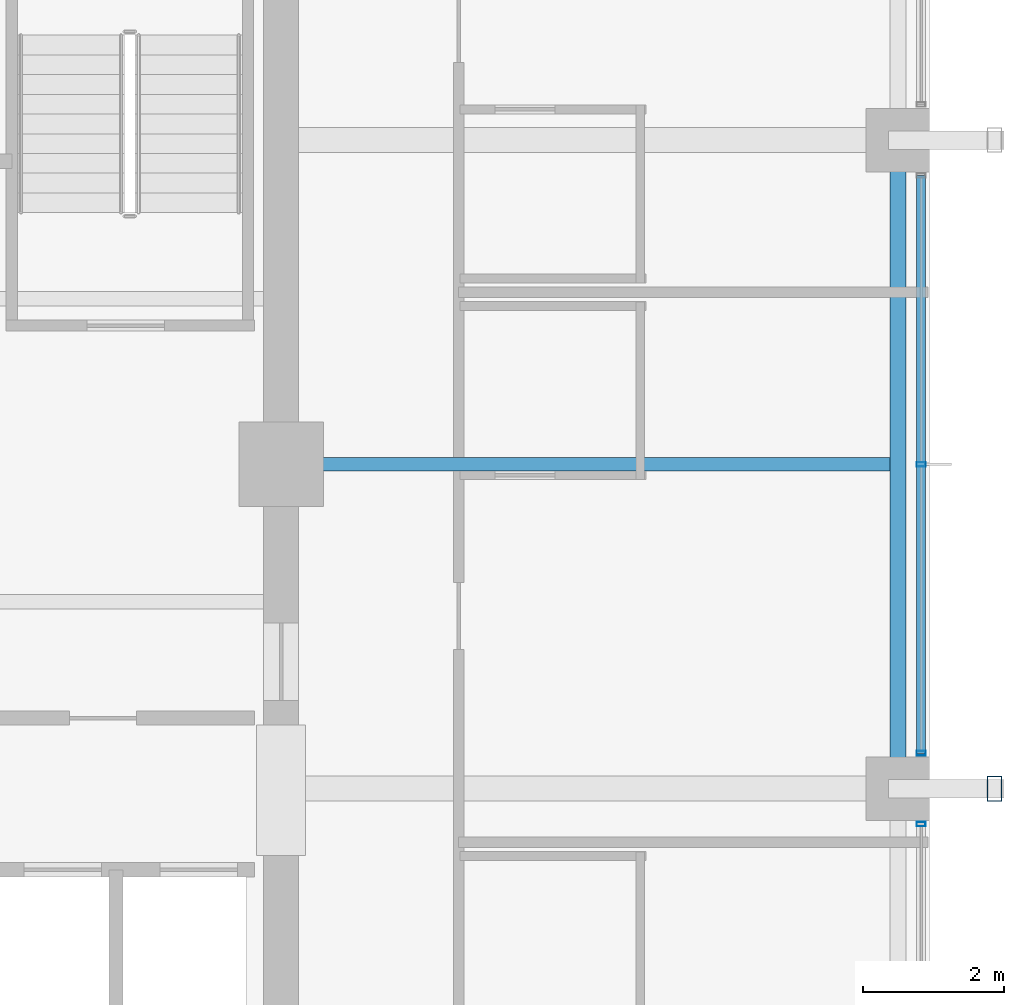
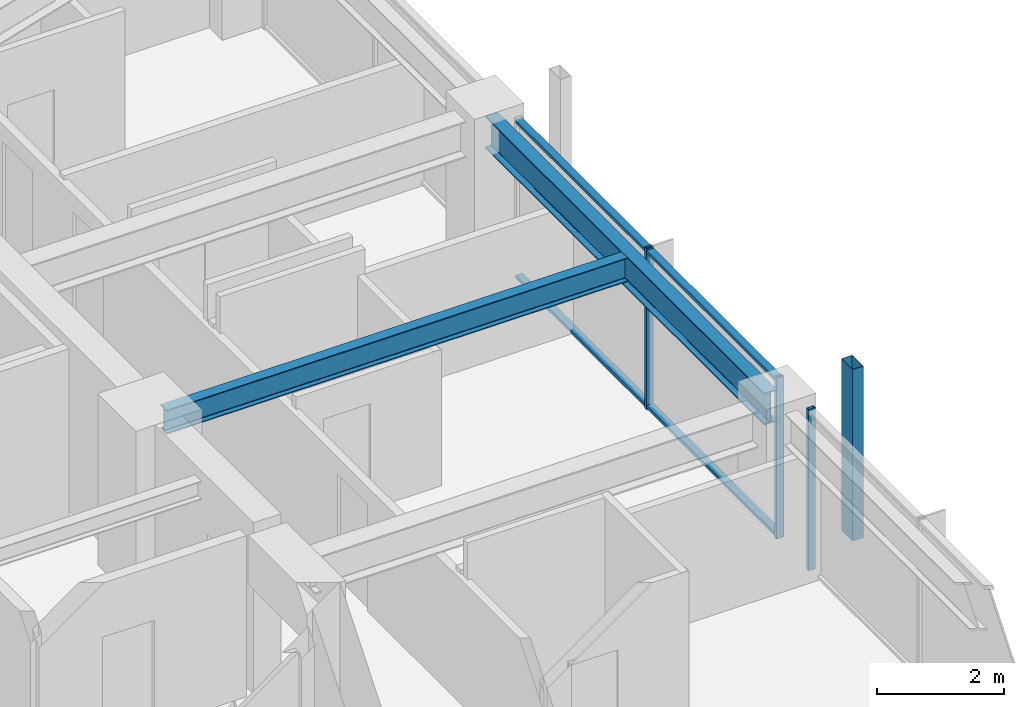
# One storey, part 14 of 34: 6 members, 2 beams, 2 elements without a shape of their own.
"""IFC4 building model written with IfcOpenShell, lengths in metres."""

from ifc_helpers import new_model, si_unit, direction, frame, origin, origin_2d, place, context, subcontext, project, spatial, hollow_rectangle, i_section, extrude, material, material_profile, profile_set, type_object, element, aggregate, save


model = new_model("IFC4")

# Units and contexts
model_context = context("Model", 3, precision=1e-05, world=origin(), true_north=direction((0.0, 1.0)))
body_context = subcontext(model_context, "Body", "Model", "MODEL_VIEW")
ifc_project = project(units=[si_unit("LENGTHUNIT", "METRE"), si_unit("AREAUNIT", "SQUARE_METRE"), si_unit("VOLUMEUNIT", "CUBIC_METRE"), si_unit("PLANEANGLEUNIT", "RADIAN"), si_unit("MASSUNIT", "GRAM", prefix="KILO")], contexts=[model_context])

# Site, building, storey
site_placement = place(None, origin())
site = spatial("IfcSite", under=ifc_project, at=site_placement, CompositionType="ELEMENT")
building_placement = place(site_placement, origin())
building = spatial("IfcBuilding", under=site, at=building_placement, Name="Kolvaren Belvedere", CompositionType="ELEMENT")
storey_placement = place(building_placement, frame((0.0, 0.0, 166.800048828125)))
storey = spatial("IfcBuildingStorey", under=building, at=storey_placement, Name="L48", CompositionType="ELEMENT", Elevation=166.800048828125)

# Beams
ifc_material_1 = material(Name="Structural steel ASTM A992 Grade 50", Category="steel")
ifc_material_profile_1 = material_profile(ifc_material_1, i_section(OverallWidth=0.19091796875, OverallDepth=0.4599609375, WebThickness=0.010009765625, FlangeThickness=0.01611328125, FilletRadius=0.014892578125, at=origin_2d()), Name="W18X55")
ifc_profile_set_1 = profile_set([ifc_material_profile_1], Name="Structural steel ASTM A992 Grade 50")
beam_type_1 = type_object("IfcBeamType", Name="BM-JOIST-W18X55", PredefinedType="BEAM", material=ifc_profile_set_1)
beam_1_placement = place(storey_placement, frame((10.14990234375, 0.0, 2.869873046875), z_axis=(1.0, 0.0, 0.0), x_axis=(0.0, 1.0, 0.0)))
element("IfcBeam", 1, at=beam_1_placement, inside=storey, type_object=beam_type_1, Name="L48 East Centre Floor Beam", PredefinedType="BEAM", context=body_context, shape_type="SweptSolid", body=[
    extrude(i_section(OverallWidth=0.19091796875, OverallDepth=0.4599609375, WebThickness=0.010009765625, FlangeThickness=0.01611328125, FilletRadius=0.014892578125, at=origin_2d()), origin(), (0.0, 0.0, 1.0), 8.385498046875),
])
ifc_material_2 = material(Name="Structural steel ASTM A992 Grade 50", Category="steel")
ifc_material_profile_2 = material_profile(ifc_material_2, i_section(OverallWidth=0.22900390625, OverallDepth=0.612060546875, WebThickness=0.011962890625, FlangeThickness=0.01953125, FilletRadius=0.01806640625, at=origin_2d()), Name="W24X84")
ifc_profile_set_2 = profile_set([ifc_material_profile_2], Name="Structural steel ASTM A992 Grade 50")
beam_type_2 = type_object("IfcBeamType", Name="BM-SPAN-W24X84", PredefinedType="SPANDREL", material=ifc_profile_set_2)
beam_2_placement = place(storey_placement, frame((18.64990234375, -4.3974609375, 2.7939453125), z_axis=(0.0, 1.0, 0.0), x_axis=(-1.0, 0.0, 0.0)))
element("IfcBeam", 2, at=beam_2_placement, inside=storey, type_object=beam_type_2, Name="L48 Perimeter Spandrel E2-E3", PredefinedType="SPANDREL", context=body_context, shape_type="SweptSolid", body=[
    extrude(i_section(OverallWidth=0.22900390625, OverallDepth=0.612060546875, WebThickness=0.011962890625, FlangeThickness=0.01953125, FilletRadius=0.01806640625, at=origin_2d()), origin(), (0.0, 0.0, 1.0), 8.794921875),
])

# Curtain wall, members
ifc_material_3 = material(Name="Anodised pale-metal aluminium AA 6063-T6", Category="aluminium")
curtain_wall_type = type_object("IfcCurtainWallType", Name="CW-Z3-WAIST", PredefinedType="NOTDEFINED", material=ifc_material_3)
curtain_wall_1_placement = place(storey_placement, origin())
curtain_wall_1 = element("IfcCurtainWall", 3, at=curtain_wall_1_placement, inside=storey, type_object=curtain_wall_type, Name="L48 Unitised Curtain Wall FCW-L48-E-B2", PredefinedType="NOTDEFINED")
ifc_material_4 = material(Name="Anodised pale-metal aluminium AA 6063-T6", Category="aluminium")
ifc_material_profile_3 = material_profile(ifc_material_4, hollow_rectangle(XDim=0.06494140625, YDim=0.1298828125, WallThickness=0.00390625, at=origin_2d()), Name="ALU-MUL-130X65")
ifc_profile_set_3 = profile_set([ifc_material_profile_3], Name="Anodised pale-metal aluminium AA 6063-T6")
member_type_1 = type_object("IfcMemberType", Name="CW-MUL-130", PredefinedType="MULLION", material=ifc_profile_set_3)
member_1_placement = place(storey_placement, frame((18.97998046875, 0.0, 0.0), z_axis=(0.0, 0.0, 1.0), x_axis=(0.0, 1.0, 0.0)))
member_1 = element("IfcMember", 4, at=member_1_placement, type_object=member_type_1, Name="FCW-L48-E-B2 Unitised Mullion 2", PredefinedType="MULLION", context=body_context, shape_type="SweptSolid", body=[
    extrude(hollow_rectangle(XDim=0.06494140625, YDim=0.1298828125, WallThickness=0.00390625, at=origin_2d()), origin(), (0.0, 0.0, 1.0), 3.099853515625),
])
member_2_placement = place(storey_placement, frame((18.97998046875, -4.097412109375, 0.0), z_axis=(0.0, 0.0, 1.0), x_axis=(0.0, 1.0, 0.0)))
member_2 = element("IfcMember", 5, at=member_2_placement, type_object=member_type_1, Name="FCW-L48-E-B2 Unitised Mullion 3", PredefinedType="MULLION", context=body_context, shape_type="SweptSolid", body=[
    extrude(hollow_rectangle(XDim=0.06494140625, YDim=0.1298828125, WallThickness=0.00390625, at=origin_2d()), origin(), (0.0, 0.0, 1.0), 3.099853515625),
])

# Curtain wall, member
curtain_wall_2_placement = place(storey_placement, origin())
curtain_wall_2 = element("IfcCurtainWall", 6, at=curtain_wall_2_placement, inside=storey, type_object=curtain_wall_type, Name="L48 Unitised Curtain Wall FCW-L48-E-B3", PredefinedType="NOTDEFINED")
member_3_placement = place(storey_placement, frame((18.97998046875, -5.1025390625, 0.0), z_axis=(0.0, 0.0, 1.0), x_axis=(0.0, 1.0, 0.0)))
member_3 = element("IfcMember", 7, at=member_3_placement, type_object=member_type_1, Name="FCW-L48-E-B3 Unitised Mullion 1", PredefinedType="MULLION", context=body_context, shape_type="SweptSolid", body=[
    extrude(hollow_rectangle(XDim=0.06494140625, YDim=0.1298828125, WallThickness=0.00390625, at=origin_2d()), origin(), (0.0, 0.0, 1.0), 3.099853515625),
])
aggregate(curtain_wall_2, [member_3])

# Member
ifc_material_5 = material(Name="Anodised pale-metal aluminium AA 6063-T6", Category="aluminium")
ifc_material_profile_4 = material_profile(ifc_material_5, hollow_rectangle(XDim=0.06005859375, YDim=0.1298828125, WallThickness=0.00390625, at=origin_2d()), Name="ALU-TRN-130X60")
ifc_profile_set_4 = profile_set([ifc_material_profile_4], Name="Anodised pale-metal aluminium AA 6063-T6")
member_type_2 = type_object("IfcMemberType", Name="CW-TRN-130", PredefinedType="USERDEFINED", material=ifc_profile_set_4)
member_4_placement = place(storey_placement, frame((18.97998046875, 4.097412109375, 0.06005859375), z_axis=(0.0, -1.0, 0.0), x_axis=(0.0, 0.0, 1.0)))
member_4 = element("IfcMember", 8, at=member_4_placement, type_object=member_type_2, Name="FCW-L48-E-B2 Sill Transom", ObjectType="TRANSOM", PredefinedType="USERDEFINED", context=body_context, shape_type="SweptSolid", body=[
    extrude(hollow_rectangle(XDim=0.06005859375, YDim=0.1298828125, WallThickness=0.00390625, at=origin_2d()), origin(), (0.0, 0.0, 1.0), 8.19482421875),
])

member_5_placement = place(storey_placement, frame((18.97998046875, 4.097412109375, 3.0400390625), z_axis=(0.0, -1.0, 0.0), x_axis=(0.0, 0.0, 1.0)))
member_5 = element("IfcMember", 9, at=member_5_placement, type_object=member_type_2, Name="FCW-L48-E-B2 Head Transom", ObjectType="TRANSOM", PredefinedType="USERDEFINED", context=body_context, shape_type="SweptSolid", body=[
    extrude(hollow_rectangle(XDim=0.06005859375, YDim=0.1298828125, WallThickness=0.00390625, at=origin_2d()), origin(), (0.0, 0.0, 1.0), 8.19482421875),
])

aggregate(curtain_wall_1, [member_1, member_2, member_4, member_5])

ifc_material_6 = material(Name="Anodised pale-metal aluminium AA 6063-T6", Category="aluminium")
ifc_material_profile_5 = material_profile(ifc_material_6, hollow_rectangle(XDim=0.199951171875, YDim=0.35009765625, WallThickness=0.007568359375, at=origin_2d()), Name="ALU-PF-350X200")
ifc_profile_set_5 = profile_set([ifc_material_profile_5], Name="Anodised pale-metal aluminium AA 6063-T6")
member_type_3 = type_object("IfcMemberType", Name="PF-FRAME-350", PredefinedType="USERDEFINED", material=ifc_profile_set_5)
member_6_placement = place(storey_placement, frame((20.02001953125, -4.60009765625, 0.0), z_axis=(0.0, 0.0, 1.0), x_axis=(1.0, 0.0, 0.0)))
element("IfcMember", 10, at=member_6_placement, inside=storey, type_object=member_type_3, Name="L48 Outboard Picture-Frame Vertical E2", ObjectType="PICTURE FRAME FIN", PredefinedType="USERDEFINED", context=body_context, shape_type="SweptSolid", body=[
    extrude(hollow_rectangle(XDim=0.199951171875, YDim=0.35009765625, WallThickness=0.007568359375, at=origin_2d()), origin(), (0.0, 0.0, 1.0), 3.300048828125),
])

save(model, "model.ifc")
